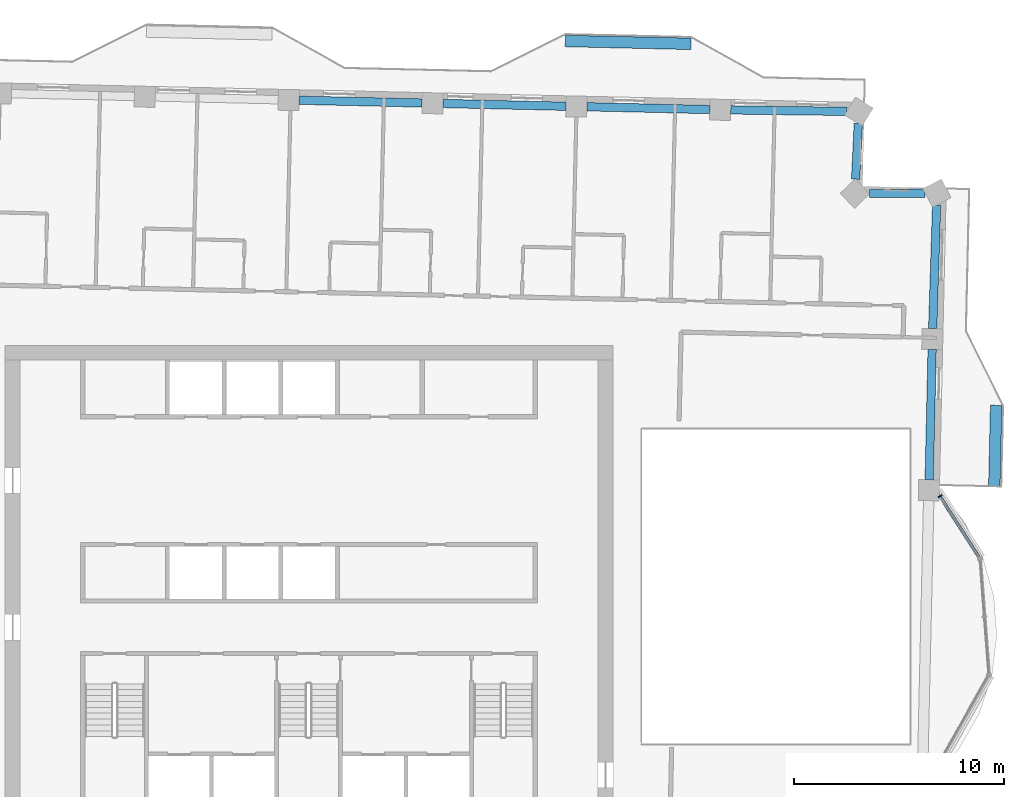
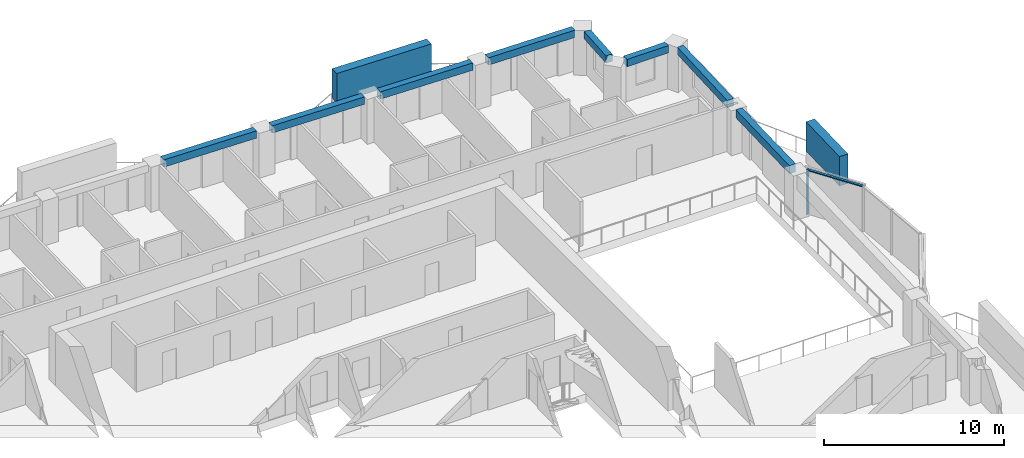
# One storey, part 4 of 17: 8 beams, 4 members, 1 element without a shape of its own.
"""IFC4 building model written with IfcOpenShell, lengths in metres."""

from ifc_helpers import new_model, si_unit, direction, frame, origin, origin_2d, place, context, subcontext, project, spatial, rectangle, extrude, material, material_profile, profile_set, type_object, element, aggregate, save


model = new_model("IFC4")

# Units and contexts
model_context = context("Model", 3, precision=1e-05, world=origin(), true_north=direction((0.0, 1.0)))
body_context = subcontext(model_context, "Body", "Model", "MODEL_VIEW")
ifc_project = project(units=[si_unit("LENGTHUNIT", "METRE"), si_unit("AREAUNIT", "SQUARE_METRE"), si_unit("VOLUMEUNIT", "CUBIC_METRE"), si_unit("PLANEANGLEUNIT", "RADIAN"), si_unit("MASSUNIT", "GRAM", prefix="KILO")], contexts=[model_context])

# Site, building, storey
site_placement = place(None, origin())
site = spatial("IfcSite", under=ifc_project, at=site_placement, CompositionType="ELEMENT")
building_placement = place(site_placement, origin())
building = spatial("IfcBuilding", under=site, at=building_placement, Name="Mangrove Gate Tower", CompositionType="ELEMENT")
storey_placement = place(building_placement, frame((0.0, 0.0, 257.300048828125)))
storey = spatial("IfcBuildingStorey", under=building, at=storey_placement, Name="L65", CompositionType="ELEMENT", Elevation=257.300048828125)

# Curtain wall, members
ifc_material_1 = material(Name="Aluminium and glass curtain wall", Category="aluminium")
curtain_wall_type = type_object("IfcCurtainWallType", Name="Atrium garden-court glazing wall", PredefinedType="NOTDEFINED", material=ifc_material_1)
curtain_wall_placement = place(storey_placement, origin())
curtain_wall = element("IfcCurtainWall", 1, at=curtain_wall_placement, inside=storey, type_object=curtain_wall_type, Name="Atrium garden-court glazing E1f3", PredefinedType="NOTDEFINED")
ifc_material_2 = material(Name="Aluminium alloy 6063-T6", Category="aluminium")
ifc_material_profile_1 = material_profile(ifc_material_2, rectangle(XDim=0.070068359375, YDim=0.199951171875, at=origin_2d()))
ifc_profile_set_1 = profile_set([ifc_material_profile_1], Name="Aluminium alloy 6063-T6")
member_type_1 = type_object("IfcMemberType", Name="Atrium garden-court glazing mullion 70x200", PredefinedType="MULLION", material=ifc_profile_set_1)
member_1_placement = place(storey_placement, frame((30.1083984375, 4.305419921875, 0.0), z_axis=(0.0, 0.0, 1.0), x_axis=(-0.540498107045, 0.841345230141, 0.0)))
member_1 = element("IfcMember", 2, at=member_1_placement, type_object=member_type_1, Name="CWA mullion 2", PredefinedType="MULLION", context=body_context, shape_type="SweptSolid", body=[
    extrude(rectangle(XDim=0.070068359375, YDim=0.199951171875, at=origin_2d()), origin(), (0.0, 0.0, 1.0), 3.050048828125),
])
ifc_material_3 = material(Name="Aluminium alloy 6063-T6", Category="aluminium")
ifc_material_profile_2 = material_profile(ifc_material_3, rectangle(XDim=0.070068359375, YDim=0.14990234375, at=origin_2d()))
ifc_profile_set_2 = profile_set([ifc_material_profile_2], Name="Aluminium alloy 6063-T6")
member_type_2 = type_object("IfcMemberType", Name="Atrium garden-court glazing transom 70x150", PredefinedType="USERDEFINED", material=ifc_profile_set_2)
member_2_placement = place(storey_placement, frame((31.980224609375, 1.391845703125, 3.014892578125), z_axis=(-0.540520015827, 0.84133115507, 0.0), x_axis=(0.0, 0.0, 1.0)))
member_2 = element("IfcMember", 3, at=member_2_placement, type_object=member_type_2, Name="CWA transom 1.2", ObjectType="TRANSOM", PredefinedType="USERDEFINED", context=body_context, shape_type="SweptSolid", body=[
    extrude(rectangle(XDim=0.070068359375, YDim=0.14990234375, at=origin_2d()), origin(), (0.0, 0.0, 1.0), 3.42822265625),
])
aggregate(curtain_wall, [member_1, member_2])

# Members
ifc_material_4 = material(Name="Planting on aluminium trellis", Category="aluminium")
ifc_material_profile_3 = material_profile(ifc_material_4, rectangle(XDim=0.550048828125, YDim=2.0, at=origin_2d()))
ifc_profile_set_3 = profile_set([ifc_material_profile_3], Name="Planting on aluminium trellis")
member_type_3 = type_object("IfcMemberType", Name="Balcony greenery screen 550x2000", PredefinedType="USERDEFINED", material=ifc_profile_set_3)
member_3_placement = place(storey_placement, frame((32.705078125, 4.77099609375, 1.800048828125), z_axis=(0.022681332769, 0.999742745482, 0.0), x_axis=(-0.999742745482, 0.022681332769, 0.0)))
element("IfcMember", 4, at=member_3_placement, inside=storey, type_object=member_type_3, Name="GREEN SCREEN L65 E1.1", ObjectType="PLANTING", PredefinedType="USERDEFINED", context=body_context, shape_type="SweptSolid", body=[
    extrude(rectangle(XDim=0.550048828125, YDim=2.0, at=origin_2d()), origin(), (0.0, 0.0, 1.0), 3.875),
])
member_4_placement = place(storey_placement, frame((12.23095703125, 26.031005859375, 1.800048828125), z_axis=(0.999743094499, -0.022665943652, 0.0), x_axis=(0.022665943652, 0.999743094499, 0.0)))
element("IfcMember", 5, at=member_4_placement, inside=storey, type_object=member_type_3, Name="GREEN SCREEN L65 N0.1", ObjectType="PLANTING", PredefinedType="USERDEFINED", context=body_context, shape_type="SweptSolid", body=[
    extrude(rectangle(XDim=0.550048828125, YDim=2.0, at=origin_2d()), origin(), (0.0, 0.0, 1.0), 5.99951171875),
])

# Beams
ifc_material_5 = material(Name="Concrete C50/60", Category="concrete")
ifc_material_profile_4 = material_profile(ifc_material_5, rectangle(XDim=0.39990234375, YDim=0.5, at=origin_2d()))
ifc_profile_set_4 = profile_set([ifc_material_profile_4], Name="Concrete C50/60")
beam_type_1 = type_object("IfcBeamType", Name="Edge beam RC 400x500 C50/60", PredefinedType="BEAM", material=ifc_profile_set_4)
beam_1_placement = place(storey_placement, frame((29.763916015625, 12.302001953125, 2.800048828125), z_axis=(0.031759593867, 0.999495536857, 0.0), x_axis=(-0.999495536857, 0.031759593867, 0.0)))
element("IfcBeam", 6, at=beam_1_placement, inside=storey, type_object=beam_type_1, Name="Edge beam L65 17", PredefinedType="BEAM", context=body_context, shape_type="SweptSolid", body=[
    extrude(rectangle(XDim=0.39990234375, YDim=0.5, at=origin_2d()), origin(), (0.0, 0.0, 1.0), 5.89599609375),
])
beam_2_placement = place(storey_placement, frame((29.40625, 18.76611328125, 2.800048828125), z_axis=(-0.999982838494, -0.005858559288, 0.0), x_axis=(0.005858559288, -0.999982838494, 0.0)))
element("IfcBeam", 7, at=beam_2_placement, inside=storey, type_object=beam_type_1, Name="Edge beam L65 18", PredefinedType="BEAM", context=body_context, shape_type="SweptSolid", body=[
    extrude(rectangle(XDim=0.39990234375, YDim=0.5, at=origin_2d()), origin(), (0.0, 0.0, 1.0), 2.6669921875),
])
beam_3_placement = place(storey_placement, frame((26.085205078125, 19.43505859375, 2.800048828125), z_axis=(0.048675713211, 0.998814634927, 0.0), x_axis=(-0.998814634927, 0.048675713211, 0.0)))
element("IfcBeam", 8, at=beam_3_placement, inside=storey, type_object=beam_type_1, Name="Edge beam L65 19", PredefinedType="BEAM", context=body_context, shape_type="SweptSolid", body=[
    extrude(rectangle(XDim=0.39990234375, YDim=0.5, at=origin_2d()), origin(), (0.0, 0.0, 1.0), 2.663330078125),
])
beam_4_placement = place(storey_placement, frame((25.660400390625, 22.672119140625, 2.800048828125), z_axis=(-0.999922612995, 0.012440579585, 0.0), x_axis=(-0.012440579585, -0.999922612995, 0.0)))
element("IfcBeam", 9, at=beam_4_placement, inside=storey, type_object=beam_type_1, Name="Edge beam L65 20", PredefinedType="BEAM", context=body_context, shape_type="SweptSolid", body=[
    extrude(rectangle(XDim=0.39990234375, YDim=0.5, at=origin_2d()), origin(), (0.0, 0.0, 1.0), 5.5341796875),
])
beam_5_placement = place(storey_placement, frame((19.126708984375, 22.758544921875, 2.800048828125), z_axis=(-0.999741921459, 0.022717624818, 0.0), x_axis=(-0.022717624818, -0.999741921459, 0.0)))
element("IfcBeam", 10, at=beam_5_placement, inside=storey, type_object=beam_type_1, Name="Edge beam L65 21", PredefinedType="BEAM", context=body_context, shape_type="SweptSolid", body=[
    extrude(rectangle(XDim=0.39990234375, YDim=0.5, at=origin_2d()), origin(), (0.0, 0.0, 1.0), 5.86767578125),
])
beam_6_placement = place(storey_placement, frame((12.2607421875, 22.91455078125, 2.800048828125), z_axis=(-0.999741835545, 0.022721405353, 0.0), x_axis=(-0.022721405353, -0.999741835545, 0.0)))
element("IfcBeam", 11, at=beam_6_placement, inside=storey, type_object=beam_type_1, Name="Edge beam L65 22", PredefinedType="BEAM", context=body_context, shape_type="SweptSolid", body=[
    extrude(rectangle(XDim=0.39990234375, YDim=0.5, at=origin_2d()), origin(), (0.0, 0.0, 1.0), 5.86669921875),
])
beam_7_placement = place(storey_placement, frame((5.395751953125, 23.070556640625, 2.800048828125), z_axis=(-0.999741921459, 0.022717624818, 0.0), x_axis=(-0.022717624818, -0.999741921459, 0.0)))
element("IfcBeam", 12, at=beam_7_placement, inside=storey, type_object=beam_type_1, Name="Edge beam L65 23", PredefinedType="BEAM", context=body_context, shape_type="SweptSolid", body=[
    extrude(rectangle(XDim=0.39990234375, YDim=0.5, at=origin_2d()), origin(), (0.0, 0.0, 1.0), 5.86767578125),
])
ifc_material_6 = material(Name="Concrete C50/60", Category="concrete")
ifc_material_profile_5 = material_profile(ifc_material_6, rectangle(XDim=0.39990234375, YDim=0.550048828125, at=origin_2d()))
ifc_profile_set_5 = profile_set([ifc_material_profile_5], Name="Concrete C50/60")
beam_type_2 = type_object("IfcBeamType", Name="Edge beam RC 400x550 C50/60", PredefinedType="BEAM", material=ifc_profile_set_5)
beam_8_placement = place(storey_placement, frame((29.596435546875, 5.09228515625, 2.77490234375), z_axis=(0.022599093821, 0.999744607867, 0.0), x_axis=(-0.999744607867, 0.022599093821, 0.0)))
element("IfcBeam", 13, at=beam_8_placement, inside=storey, type_object=beam_type_2, Name="Edge beam L65 16", PredefinedType="BEAM", context=body_context, shape_type="SweptSolid", body=[
    extrude(rectangle(XDim=0.39990234375, YDim=0.550048828125, at=origin_2d()), origin(), (0.0, 0.0, 1.0), 6.211669921875),
])

save(model, "model.ifc")
